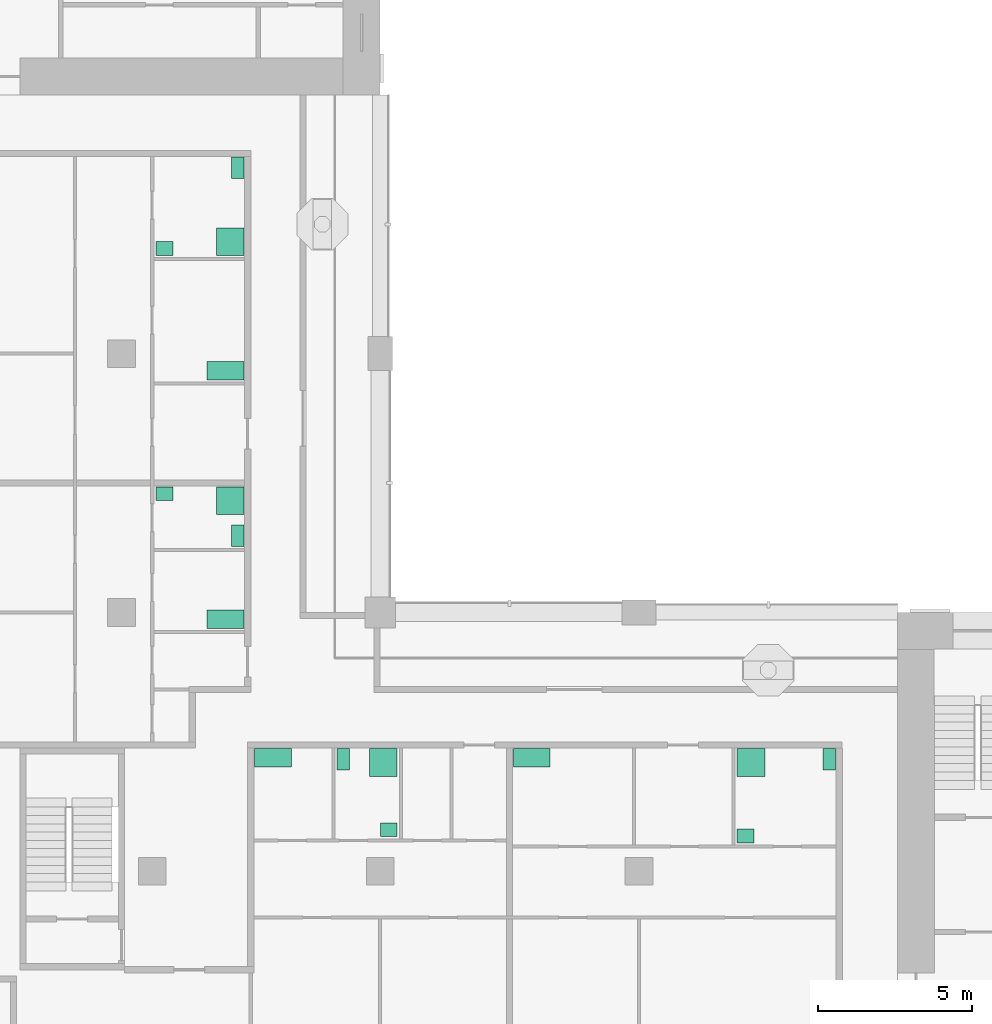
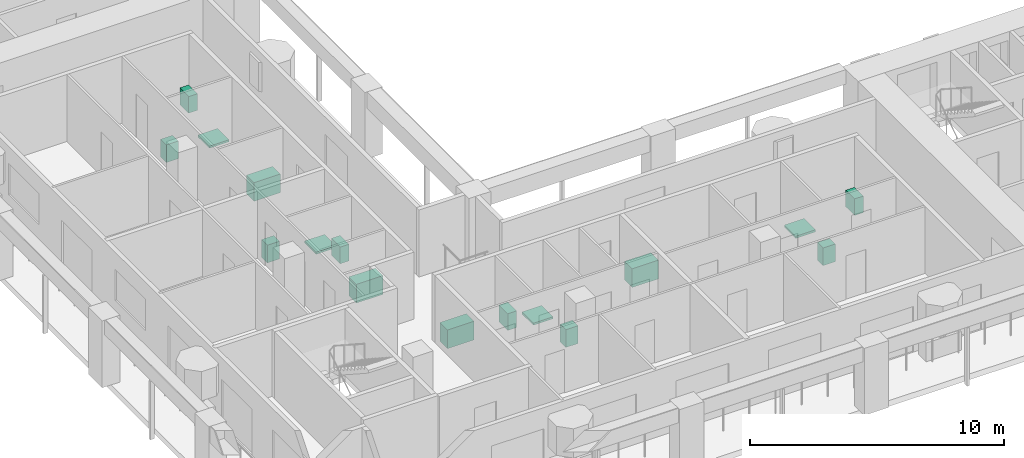
# One storey, part 10 of 12: 16 sanitary terminals.
"""IFC4 building model written with IfcOpenShell, lengths in metres."""

from ifc_helpers import new_model, si_unit, direction, frame, origin, origin_2d, place, context, subcontext, project, spatial, rectangle, extrude, material, element, save


model = new_model("IFC4")

# Units and contexts
model_context = context("Model", 3, precision=1e-05, world=origin(), true_north=direction((0.0, 1.0)))
body_context = subcontext(model_context, "Body", "Model", "MODEL_VIEW")
ifc_project = project(units=[si_unit("LENGTHUNIT", "METRE"), si_unit("AREAUNIT", "SQUARE_METRE"), si_unit("VOLUMEUNIT", "CUBIC_METRE"), si_unit("PLANEANGLEUNIT", "RADIAN"), si_unit("MASSUNIT", "GRAM", prefix="KILO")], contexts=[model_context])

# Site, building, storey
site_placement = place(None, origin())
site = spatial("IfcSite", under=ifc_project, at=site_placement, CompositionType="ELEMENT")
building_placement = place(site_placement, origin())
building = spatial("IfcBuilding", under=site, at=building_placement, Name="Vermilion Gate Residences", CompositionType="ELEMENT")
storey_placement = place(building_placement, frame((0.0, 0.0, 221.199951171875)))
storey = spatial("IfcBuildingStorey", under=building, at=storey_placement, Name="L57", CompositionType="ELEMENT", Elevation=221.199951171875)

# Sanitary terminals
ifc_material_1 = material(Name="Stainless steel", Category="steel")
sanitary_terminal_1_placement = place(storey_placement, frame((21.719970703125, 20.47998046875, 0.0), z_axis=(0.0, 0.0, 1.0), x_axis=(1.0, 0.0, 0.0)))
element("IfcSanitaryTerminal", 1, at=sanitary_terminal_1_placement, inside=storey, material=ifc_material_1, Name="Kitchen sink", PredefinedType="SINK", context=body_context, shape_type="SweptSolid", body=[
    extrude(rectangle(XDim=1.199951171875, YDim=0.60009765625, at=origin_2d()), origin(), (0.0, 0.0, 1.0), 0.89990234375),
])
ifc_material_2 = material(Name="Vitreous china")
sanitary_terminal_2_placement = place(storey_placement, frame((25.303955078125, 20.330078125, 0.0), z_axis=(0.0, 0.0, 1.0), x_axis=(1.0, 0.0, 0.0)))
element("IfcSanitaryTerminal", 2, at=sanitary_terminal_2_placement, inside=storey, material=ifc_material_2, Name="Shower tray", PredefinedType="SHOWER", context=body_context, shape_type="SweptSolid", body=[
    extrude(rectangle(XDim=0.89990234375, YDim=0.89990234375, at=origin_2d()), origin(), (0.0, 0.0, 1.0), 0.10009765625),
])
sanitary_terminal_3_placement = place(storey_placement, frame((24.00390625, 20.429931640625, 0.0), z_axis=(0.0, 0.0, 1.0), x_axis=(1.0, 0.0, 0.0)))
element("IfcSanitaryTerminal", 3, at=sanitary_terminal_3_placement, inside=storey, material=ifc_material_2, Name="Toilet", PredefinedType="TOILETPAN", context=body_context, shape_type="SweptSolid", body=[
    extrude(rectangle(XDim=0.39990234375, YDim=0.699951171875, at=origin_2d()), origin(), (0.0, 0.0, 1.0), 0.800048828125),
])
sanitary_terminal_4_placement = place(storey_placement, frame((25.47900390625, 18.14501953125, 0.0), z_axis=(0.0, 0.0, 1.0), x_axis=(1.0, 0.0, 0.0)))
element("IfcSanitaryTerminal", 4, at=sanitary_terminal_4_placement, inside=storey, material=ifc_material_2, Name="Wash basin", PredefinedType="WASHHANDBASIN", context=body_context, shape_type="SweptSolid", body=[
    extrude(rectangle(XDim=0.550048828125, YDim=0.449951171875, at=origin_2d()), origin(), (0.0, 0.0, 1.0), 0.85009765625),
])
sanitary_terminal_5_placement = place(storey_placement, frame((30.1201171875, 20.47998046875, 0.0), z_axis=(0.0, 0.0, 1.0), x_axis=(1.0, 0.0, 0.0)))
element("IfcSanitaryTerminal", 5, at=sanitary_terminal_5_placement, inside=storey, material=ifc_material_1, Name="Kitchen sink", PredefinedType="SINK", context=body_context, shape_type="SweptSolid", body=[
    extrude(rectangle(XDim=1.199951171875, YDim=0.60009765625, at=origin_2d()), origin(), (0.0, 0.0, 1.0), 0.89990234375),
])
sanitary_terminal_6_placement = place(storey_placement, frame((37.237060546875, 20.330078125, 0.0), z_axis=(0.0, 0.0, 1.0), x_axis=(1.0, 0.0, 0.0)))
element("IfcSanitaryTerminal", 6, at=sanitary_terminal_6_placement, inside=storey, material=ifc_material_2, Name="Shower tray", PredefinedType="SHOWER", context=body_context, shape_type="SweptSolid", body=[
    extrude(rectangle(XDim=0.89990234375, YDim=0.89990234375, at=origin_2d()), origin(), (0.0, 0.0, 1.0), 0.10009765625),
])
sanitary_terminal_7_placement = place(storey_placement, frame((39.780029296875, 20.429931640625, 0.0), z_axis=(0.0, 0.0, 1.0), x_axis=(1.0, 0.0, 0.0)))
element("IfcSanitaryTerminal", 7, at=sanitary_terminal_7_placement, inside=storey, material=ifc_material_2, Name="Toilet", PredefinedType="TOILETPAN", context=body_context, shape_type="SweptSolid", body=[
    extrude(rectangle(XDim=0.39990234375, YDim=0.699951171875, at=origin_2d()), origin(), (0.0, 0.0, 1.0), 0.800048828125),
])
sanitary_terminal_8_placement = place(storey_placement, frame((37.06201171875, 17.945068359375, 0.0), z_axis=(0.0, 0.0, 1.0), x_axis=(1.0, 0.0, 0.0)))
element("IfcSanitaryTerminal", 8, at=sanitary_terminal_8_placement, inside=storey, material=ifc_material_2, Name="Wash basin", PredefinedType="WASHHANDBASIN", context=body_context, shape_type="SweptSolid", body=[
    extrude(rectangle(XDim=0.550048828125, YDim=0.449951171875, at=origin_2d()), origin(), (0.0, 0.0, 1.0), 0.85009765625),
])
sanitary_terminal_9_placement = place(storey_placement, frame((20.179931640625, 24.98291015625, 0.0), z_axis=(0.0, 0.0, 1.0), x_axis=(1.0, 0.0, 0.0)))
element("IfcSanitaryTerminal", 9, at=sanitary_terminal_9_placement, inside=storey, material=ifc_material_1, Name="Kitchen sink", PredefinedType="SINK", context=body_context, shape_type="SweptSolid", body=[
    extrude(rectangle(XDim=1.199951171875, YDim=0.60009765625, at=origin_2d()), origin(), (0.0, 0.0, 1.0), 0.89990234375),
])
sanitary_terminal_10_placement = place(storey_placement, frame((20.330078125, 28.830078125, 0.0), z_axis=(0.0, 0.0, 1.0), x_axis=(1.0, 0.0, 0.0)))
element("IfcSanitaryTerminal", 10, at=sanitary_terminal_10_placement, inside=storey, material=ifc_material_2, Name="Shower tray", PredefinedType="SHOWER", context=body_context, shape_type="SweptSolid", body=[
    extrude(rectangle(XDim=0.89990234375, YDim=0.89990234375, at=origin_2d()), origin(), (0.0, 0.0, 1.0), 0.10009765625),
])
sanitary_terminal_11_placement = place(storey_placement, frame((20.580078125, 27.695068359375, 0.0), z_axis=(0.0, 0.0, 1.0), x_axis=(1.0, 0.0, 0.0)))
element("IfcSanitaryTerminal", 11, at=sanitary_terminal_11_placement, inside=storey, material=ifc_material_2, Name="Toilet", PredefinedType="TOILETPAN", context=body_context, shape_type="SweptSolid", body=[
    extrude(rectangle(XDim=0.39990234375, YDim=0.699951171875, at=origin_2d()), origin(), (0.0, 0.0, 1.0), 0.800048828125),
])
sanitary_terminal_12_placement = place(storey_placement, frame((18.195068359375, 29.054931640625, 0.0), z_axis=(0.0, 0.0, 1.0), x_axis=(1.0, 0.0, 0.0)))
element("IfcSanitaryTerminal", 12, at=sanitary_terminal_12_placement, inside=storey, material=ifc_material_2, Name="Wash basin", PredefinedType="WASHHANDBASIN", context=body_context, shape_type="SweptSolid", body=[
    extrude(rectangle(XDim=0.550048828125, YDim=0.449951171875, at=origin_2d()), origin(), (0.0, 0.0, 1.0), 0.85009765625),
])
sanitary_terminal_13_placement = place(storey_placement, frame((20.179931640625, 33.052978515625, 0.0), z_axis=(0.0, 0.0, 1.0), x_axis=(1.0, 0.0, 0.0)))
element("IfcSanitaryTerminal", 13, at=sanitary_terminal_13_placement, inside=storey, material=ifc_material_1, Name="Kitchen sink", PredefinedType="SINK", context=body_context, shape_type="SweptSolid", body=[
    extrude(rectangle(XDim=1.199951171875, YDim=0.60009765625, at=origin_2d()), origin(), (0.0, 0.0, 1.0), 0.89990234375),
])
sanitary_terminal_14_placement = place(storey_placement, frame((20.330078125, 37.237060546875, 0.0), z_axis=(0.0, 0.0, 1.0), x_axis=(1.0, 0.0, 0.0)))
element("IfcSanitaryTerminal", 14, at=sanitary_terminal_14_placement, inside=storey, material=ifc_material_2, Name="Shower tray", PredefinedType="SHOWER", context=body_context, shape_type="SweptSolid", body=[
    extrude(rectangle(XDim=0.89990234375, YDim=0.89990234375, at=origin_2d()), origin(), (0.0, 0.0, 1.0), 0.10009765625),
])
sanitary_terminal_15_placement = place(storey_placement, frame((20.580078125, 39.6298828125, 0.0), z_axis=(0.0, 0.0, 1.0), x_axis=(1.0, 0.0, 0.0)))
element("IfcSanitaryTerminal", 15, at=sanitary_terminal_15_placement, inside=storey, material=ifc_material_2, Name="Toilet", PredefinedType="TOILETPAN", context=body_context, shape_type="SweptSolid", body=[
    extrude(rectangle(XDim=0.39990234375, YDim=0.699951171875, at=origin_2d()), origin(), (0.0, 0.0, 1.0), 0.800048828125),
])
sanitary_terminal_16_placement = place(storey_placement, frame((18.195068359375, 37.011962890625, 0.0), z_axis=(0.0, 0.0, 1.0), x_axis=(1.0, 0.0, 0.0)))
element("IfcSanitaryTerminal", 16, at=sanitary_terminal_16_placement, inside=storey, material=ifc_material_2, Name="Wash basin", PredefinedType="WASHHANDBASIN", context=body_context, shape_type="SweptSolid", body=[
    extrude(rectangle(XDim=0.550048828125, YDim=0.449951171875, at=origin_2d()), origin(), (0.0, 0.0, 1.0), 0.85009765625),
])

save(model, "model.ifc")
